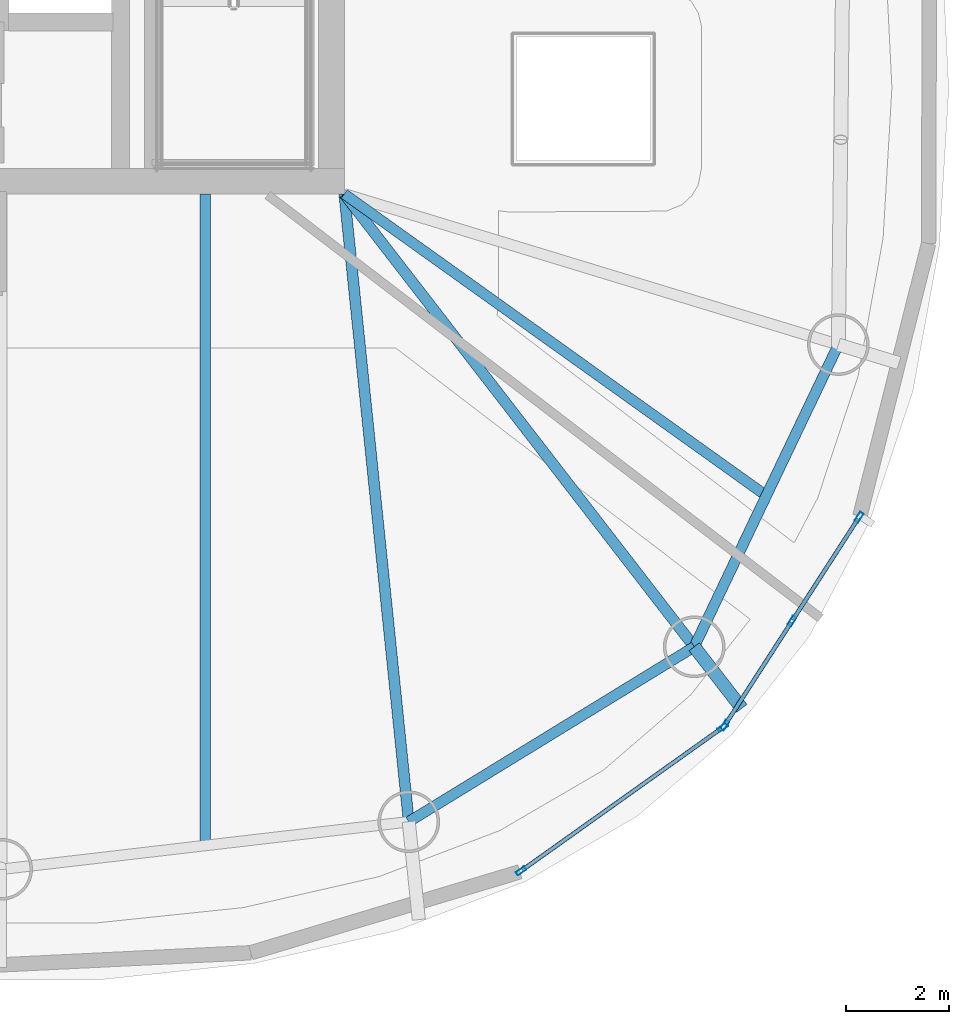
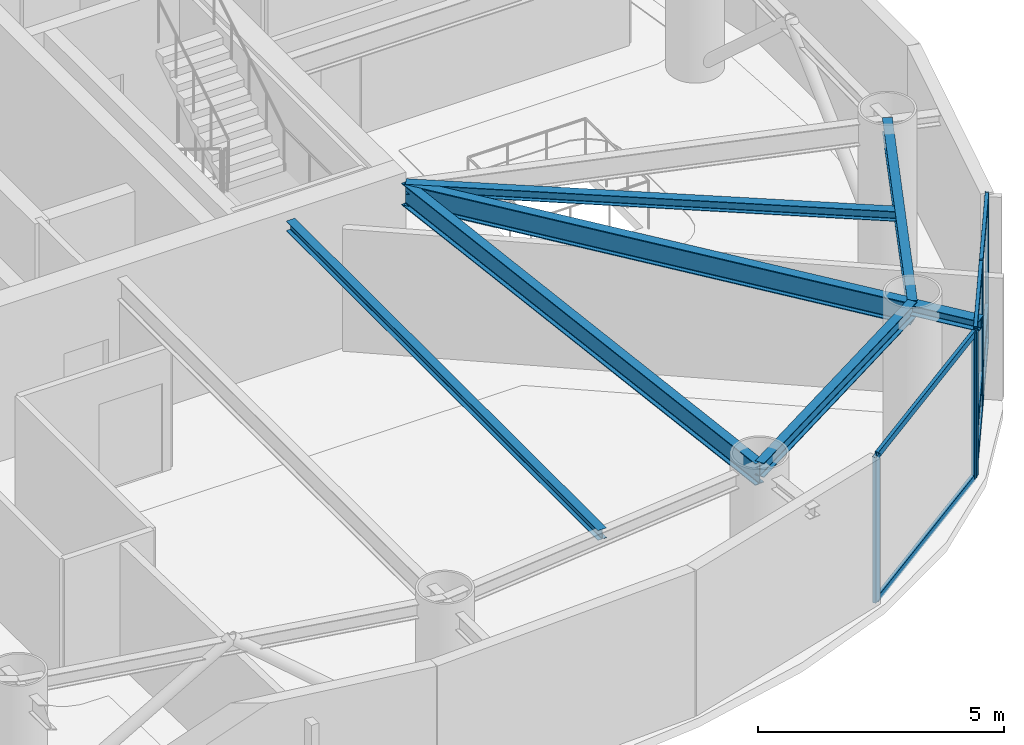
# One storey, part 5 of 18: 13 members, 7 beams, 2 elements without a shape of their own.
"""IFC4 building model written with IfcOpenShell, lengths in metres."""

from ifc_helpers import new_model, si_unit, direction, frame, origin, origin_2d, place, context, subcontext, project, spatial, hollow_rectangle, i_section, extrude, material, layer, layer_set, material_profile, profile_set, type_object, element, aggregate, save


model = new_model("IFC4")

# Units and contexts
model_context = context("Model", 3, precision=1e-05, world=origin(), true_north=direction((0.0, 1.0)))
body_context = subcontext(model_context, "Body", "Model", "MODEL_VIEW")
ifc_project = project(units=[si_unit("LENGTHUNIT", "METRE"), si_unit("AREAUNIT", "SQUARE_METRE"), si_unit("VOLUMEUNIT", "CUBIC_METRE"), si_unit("PLANEANGLEUNIT", "RADIAN"), si_unit("MASSUNIT", "GRAM", prefix="KILO")], contexts=[model_context])

# Site, building, storey
site_placement = place(None, origin())
site = spatial("IfcSite", under=ifc_project, at=site_placement, CompositionType="ELEMENT")
building_placement = place(site_placement, origin())
building = spatial("IfcBuilding", under=site, at=building_placement, Name="Bramvorn Convention Spire", CompositionType="ELEMENT")
storey_placement = place(building_placement, frame((0.0, 0.0, 205.85009765625)))
storey = spatial("IfcBuildingStorey", under=building, at=storey_placement, Name="L52", CompositionType="ELEMENT", Elevation=205.85009765625)

# Beams
ifc_material_1 = material(Name="Steel CSA G40.21 Grade 350 (350W)", Category="steel")
ifc_material_profile_1 = material_profile(ifc_material_1, i_section(OverallWidth=0.201904296875, OverallDepth=0.2470703125, WebThickness=0.00732421875, FlangeThickness=0.010986328125, FilletRadius=0.011962890625, at=origin_2d()))
ifc_profile_set_1 = profile_set([ifc_material_profile_1], Name="Steel CSA G40.21 Grade 350 (350W) - W250X49")
beam_type_1 = type_object("IfcBeamType", Name="BM-W250X49", PredefinedType="JOIST", material=ifc_profile_set_1)
beam_1_placement = place(storey_placement, frame((49.25, 18.550048828125, 3.496337890625), z_axis=(0.813471895271, -0.581604225916, 0.0), x_axis=(0.581604225916, 0.813471895271, 0.0)))
element("IfcBeam", 1, at=beam_1_placement, inside=storey, type_object=beam_type_1, Name="L52 composite floor joist 01", PredefinedType="JOIST", context=body_context, shape_type="SweptSolid", body=[
    extrude(i_section(OverallWidth=0.201904296875, OverallDepth=0.2470703125, WebThickness=0.00732421875, FlangeThickness=0.010986328125, FilletRadius=0.011962890625, at=origin_2d()), origin(), (0.0, 0.0, 1.0), 10.093505859375),
])
beam_2_placement = place(storey_placement, frame((46.544189453125, 18.550048828125, 3.496337890625), z_axis=(0.0, -1.0, 0.0), x_axis=(1.0, 0.0, 0.0)))
element("IfcBeam", 2, at=beam_2_placement, inside=storey, type_object=beam_type_1, Name="L52 composite floor joist 15", PredefinedType="JOIST", context=body_context, shape_type="SweptSolid", body=[
    extrude(i_section(OverallWidth=0.201904296875, OverallDepth=0.2470703125, WebThickness=0.00732421875, FlangeThickness=0.010986328125, FilletRadius=0.011962890625, at=origin_2d()), origin(), (0.0, 0.0, 1.0), 12.67626953125),
])
ifc_material_profile_2 = material_profile(ifc_material_1, i_section(OverallWidth=0.25390625, OverallDepth=0.2529296875, WebThickness=0.008544921875, FlangeThickness=0.01416015625, FilletRadius=0.011962890625, at=origin_2d()))
ifc_profile_set_2 = profile_set([ifc_material_profile_2], Name="Steel CSA G40.21 Grade 350 (350W) - W250X73")
beam_type_2 = type_object("IfcBeamType", Name="BM-W250X73", PredefinedType="BEAM", material=ifc_profile_set_2)
beam_3_placement = place(storey_placement, frame((56.058349609375, 9.739990234375, 3.45849609375), z_axis=(0.611603601919, -0.791164353418, 0.0), x_axis=(0.791164353418, 0.611603601919, 0.0)))
element("IfcBeam", 3, at=beam_3_placement, inside=storey, type_object=beam_type_2, Name="L52 slab-edge cantilever tip beam MC01", PredefinedType="BEAM", context=body_context, shape_type="SweptSolid", body=[
    extrude(i_section(OverallWidth=0.25390625, OverallDepth=0.2529296875, WebThickness=0.008544921875, FlangeThickness=0.01416015625, FilletRadius=0.011962890625, at=origin_2d()), origin(), (0.0, 0.0, 1.0), 1.51318359375),
])
ifc_material_profile_3 = material_profile(ifc_material_1, i_section(OverallWidth=0.205078125, OverallDepth=0.35400390625, WebThickness=0.009521484375, FlangeThickness=0.016845703125, FilletRadius=0.014892578125, at=origin_2d()))
ifc_profile_set_3 = profile_set([ifc_material_profile_3], Name="Steel CSA G40.21 Grade 350 (350W) - W360X79")
beam_type_3 = type_object("IfcBeamType", Name="BM-W360X79", PredefinedType="JOIST", material=ifc_profile_set_3)
beam_4_placement = place(storey_placement, frame((56.058349609375, 9.739990234375, 3.44287109375), z_axis=(0.430556138422, 0.902563799223, 0.0), x_axis=(-0.902563799223, 0.430556138422, 0.0)))
element("IfcBeam", 4, at=beam_4_placement, inside=storey, type_object=beam_type_3, Name="L52 mega-column ring beam 01", PredefinedType="JOIST", context=body_context, shape_type="SweptSolid", body=[
    extrude(i_section(OverallWidth=0.205078125, OverallDepth=0.35400390625, WebThickness=0.009521484375, FlangeThickness=0.016845703125, FilletRadius=0.014892578125, at=origin_2d()), origin(), (0.0, 0.0, 1.0), 6.51416015625),
])
beam_5_placement = place(storey_placement, frame((50.50439453125, 6.336181640625, 3.44287109375), z_axis=(0.852616873135, 0.522536570629, 0.0), x_axis=(-0.522536570629, 0.852616873135, 0.0)))
element("IfcBeam", 5, at=beam_5_placement, inside=storey, type_object=beam_type_3, Name="L52 mega-column ring beam 16", PredefinedType="JOIST", context=body_context, shape_type="SweptSolid", body=[
    extrude(i_section(OverallWidth=0.205078125, OverallDepth=0.35400390625, WebThickness=0.009521484375, FlangeThickness=0.016845703125, FilletRadius=0.014892578125, at=origin_2d()), origin(), (0.0, 0.0, 1.0), 6.513916015625),
])
ifc_material_profile_4 = material_profile(ifc_material_1, i_section(OverallWidth=0.2119140625, OverallDepth=0.5439453125, WebThickness=0.01318359375, FlangeThickness=0.021240234375, FilletRadius=0.01904296875, at=origin_2d()))
ifc_profile_set_4 = profile_set([ifc_material_profile_4], Name="Steel CSA G40.21 Grade 350 (350W) - W530X123")
beam_type_4 = type_object("IfcBeamType", Name="BM-W530X123", PredefinedType="BEAM", material=ifc_profile_set_4)
beam_6_placement = place(storey_placement, frame((49.25, 18.550048828125, 3.347900390625), z_axis=(0.611479951477, -0.791259925019, 0.0), x_axis=(0.791259925019, 0.611479951477, 0.0)))
element("IfcBeam", 6, at=beam_6_placement, inside=storey, type_object=beam_type_4, Name="L52 radial floor girder MC01", PredefinedType="BEAM", context=body_context, shape_type="SweptSolid", body=[
    extrude(i_section(OverallWidth=0.2119140625, OverallDepth=0.5439453125, WebThickness=0.01318359375, FlangeThickness=0.021240234375, FilletRadius=0.01904296875, at=origin_2d()), origin(), (0.0, 0.0, 1.0), 11.13427734375),
])
beam_7_placement = place(storey_placement, frame((49.25, 18.550048828125, 3.347900390625), z_axis=(0.10216509146, -0.994767457292, 0.0), x_axis=(0.994767457292, 0.10216509146, 0.0)))
element("IfcBeam", 7, at=beam_7_placement, inside=storey, type_object=beam_type_4, Name="L52 radial floor girder MC16", PredefinedType="BEAM", context=body_context, shape_type="SweptSolid", body=[
    extrude(i_section(OverallWidth=0.2119140625, OverallDepth=0.5439453125, WebThickness=0.01318359375, FlangeThickness=0.021240234375, FilletRadius=0.01904296875, at=origin_2d()), origin(), (0.0, 0.0, 1.0), 12.278076171875),
])

# Curtain wall, members
ifc_material_2 = material(Name="Anodised Bronze Unitised Curtain Wall", Category="aluminium")
ifc_layer = layer(ifc_material_2, 0.179931640625)
ifc_layer_set = layer_set([ifc_layer], Name="Anodised Bronze Unitised Curtain Wall - CW-OFF-FRIT")
curtain_wall_type = type_object("IfcCurtainWallType", Name="CW-OFF-FRIT", PredefinedType="USERDEFINED", material=ifc_layer_set)
curtain_wall_1_placement = place(storey_placement, origin())
curtain_wall_1 = element("IfcCurtainWall", 8, at=curtain_wall_1_placement, inside=storey, type_object=curtain_wall_type, Name="L52 fritted glass curtain wall 01", ObjectType="UNITISED CURTAIN WALL", PredefinedType="USERDEFINED")
ifc_material_3 = material(Name="Anodised Bronze Aluminium 6063-T6", Category="aluminium")
ifc_material_profile_5 = material_profile(ifc_material_3, hollow_rectangle(XDim=0.080078125, YDim=0.199951171875, WallThickness=0.00390625, InnerFilletRadius=0.0009765625, OuterFilletRadius=0.00390625, at=origin_2d()))
ifc_profile_set_5 = profile_set([ifc_material_profile_5], Name="Anodised Bronze Aluminium 6063-T6 - CWM80X200")
member_type_1 = type_object("IfcMemberType", Name="CW-MUL-180", PredefinedType="MULLION", material=ifc_profile_set_5)
member_1_placement = place(storey_placement, frame((59.265625, 12.26123046875, 0.0), z_axis=(0.0, 0.0, 1.0), x_axis=(0.840251742921, -0.542196466715, 0.0)))
member_1 = element("IfcMember", 9, at=member_1_placement, type_object=member_type_1, Name="CW3 mullion 1", PredefinedType="MULLION", context=body_context, shape_type="SweptSolid", body=[
    extrude(hollow_rectangle(XDim=0.080078125, YDim=0.199951171875, WallThickness=0.00390625, InnerFilletRadius=0.0009765625, OuterFilletRadius=0.00390625, at=origin_2d()), origin(), (0.0, 0.0, 1.0), 3.619873046875),
])
member_2_placement = place(storey_placement, frame((57.9599609375, 10.23779296875, 0.0), z_axis=(0.0, 0.0, 1.0), x_axis=(0.840251742921, -0.542196466715, 0.0)))
member_2 = element("IfcMember", 10, at=member_2_placement, type_object=member_type_1, Name="CW3 mullion 2", PredefinedType="MULLION", context=body_context, shape_type="SweptSolid", body=[
    extrude(hollow_rectangle(XDim=0.080078125, YDim=0.199951171875, WallThickness=0.00390625, InnerFilletRadius=0.0009765625, OuterFilletRadius=0.00390625, at=origin_2d()), origin(), (0.0, 0.0, 1.0), 3.619873046875),
])
member_3_placement = place(storey_placement, frame((56.654296875, 8.21435546875, 0.0), z_axis=(0.0, 0.0, 1.0), x_axis=(0.840251742921, -0.542196466715, 0.0)))
member_3 = element("IfcMember", 11, at=member_3_placement, type_object=member_type_1, Name="CW3 mullion 3", PredefinedType="MULLION", context=body_context, shape_type="SweptSolid", body=[
    extrude(hollow_rectangle(XDim=0.080078125, YDim=0.199951171875, WallThickness=0.00390625, InnerFilletRadius=0.0009765625, OuterFilletRadius=0.00390625, at=origin_2d()), origin(), (0.0, 0.0, 1.0), 3.619873046875),
])

curtain_wall_2_placement = place(storey_placement, origin())
curtain_wall_2 = element("IfcCurtainWall", 12, at=curtain_wall_2_placement, inside=storey, type_object=curtain_wall_type, Name="L52 fritted glass curtain wall 24", ObjectType="UNITISED CURTAIN WALL", PredefinedType="USERDEFINED")
member_4_placement = place(storey_placement, frame((56.61376953125, 8.171630859375, 0.0), z_axis=(0.0, 0.0, 1.0), x_axis=(0.579757116139, -0.814789350867, 0.0)))
member_4 = element("IfcMember", 13, at=member_4_placement, type_object=member_type_1, Name="CW3 mullion 1", PredefinedType="MULLION", context=body_context, shape_type="SweptSolid", body=[
    extrude(hollow_rectangle(XDim=0.080078125, YDim=0.199951171875, WallThickness=0.00390625, InnerFilletRadius=0.0009765625, OuterFilletRadius=0.00390625, at=origin_2d()), origin(), (0.0, 0.0, 1.0), 3.619873046875),
])
member_5_placement = place(storey_placement, frame((52.689453125, 5.37939453125, 0.0), z_axis=(0.0, 0.0, 1.0), x_axis=(0.579757116139, -0.814789350867, 0.0)))
member_5 = element("IfcMember", 14, at=member_5_placement, type_object=member_type_1, Name="CW3 mullion 2", PredefinedType="MULLION", context=body_context, shape_type="SweptSolid", body=[
    extrude(hollow_rectangle(XDim=0.080078125, YDim=0.199951171875, WallThickness=0.00390625, InnerFilletRadius=0.0009765625, OuterFilletRadius=0.00390625, at=origin_2d()), origin(), (0.0, 0.0, 1.0), 3.619873046875),
])

# Member
ifc_material_profile_6 = material_profile(ifc_material_3, hollow_rectangle(XDim=0.080078125, YDim=0.159912109375, WallThickness=0.00390625, InnerFilletRadius=0.0009765625, OuterFilletRadius=0.00390625, at=origin_2d()))
ifc_profile_set_6 = profile_set([ifc_material_profile_6], Name="Anodised Bronze Aluminium 6063-T6 - CWT80X160")
member_type_2 = type_object("IfcMemberType", Name="CW-TRN-150", PredefinedType="USERDEFINED", material=ifc_profile_set_6)
member_6_placement = place(storey_placement, frame((59.24951171875, 12.236083984375, 0.02978515625), z_axis=(-0.542186070646, -0.840258451191, 0.0), x_axis=(0.840258451191, -0.542186070646, 0.0)))
member_6 = element("IfcMember", 15, at=member_6_placement, type_object=member_type_2, Name="CW3 transom 1.1", ObjectType="TRANSOM", PredefinedType="USERDEFINED", context=body_context, shape_type="SweptSolid", body=[
    extrude(hollow_rectangle(XDim=0.080078125, YDim=0.159912109375, WallThickness=0.00390625, InnerFilletRadius=0.0009765625, OuterFilletRadius=0.00390625, at=origin_2d()), origin(), (0.0, 0.0, 1.0), 2.34814453125),
])

member_7_placement = place(storey_placement, frame((59.24951171875, 12.236083984375, 0.89990234375), z_axis=(-0.542186070646, -0.840258451191, 0.0), x_axis=(0.840258451191, -0.542186070646, 0.0)))
member_7 = element("IfcMember", 16, at=member_7_placement, type_object=member_type_2, Name="CW3 transom 1.2", ObjectType="TRANSOM", PredefinedType="USERDEFINED", context=body_context, shape_type="SweptSolid", body=[
    extrude(hollow_rectangle(XDim=0.080078125, YDim=0.159912109375, WallThickness=0.00390625, InnerFilletRadius=0.0009765625, OuterFilletRadius=0.00390625, at=origin_2d()), origin(), (0.0, 0.0, 1.0), 2.34814453125),
])

member_8_placement = place(storey_placement, frame((59.24951171875, 12.236083984375, 3.58984375), z_axis=(-0.542186070646, -0.840258451191, 0.0), x_axis=(0.840258451191, -0.542186070646, 0.0)))
member_8 = element("IfcMember", 17, at=member_8_placement, type_object=member_type_2, Name="CW3 transom 1.3", ObjectType="TRANSOM", PredefinedType="USERDEFINED", context=body_context, shape_type="SweptSolid", body=[
    extrude(hollow_rectangle(XDim=0.080078125, YDim=0.159912109375, WallThickness=0.00390625, InnerFilletRadius=0.0009765625, OuterFilletRadius=0.00390625, at=origin_2d()), origin(), (0.0, 0.0, 1.0), 2.34814453125),
])

member_9_placement = place(storey_placement, frame((57.94384765625, 10.212646484375, 0.02978515625), z_axis=(-0.542186070646, -0.840258451191, 0.0), x_axis=(0.840258451191, -0.542186070646, 0.0)))
member_9 = element("IfcMember", 18, at=member_9_placement, type_object=member_type_2, Name="CW3 transom 2.1", ObjectType="TRANSOM", PredefinedType="USERDEFINED", context=body_context, shape_type="SweptSolid", body=[
    extrude(hollow_rectangle(XDim=0.080078125, YDim=0.159912109375, WallThickness=0.00390625, InnerFilletRadius=0.0009765625, OuterFilletRadius=0.00390625, at=origin_2d()), origin(), (0.0, 0.0, 1.0), 2.34814453125),
])

member_10_placement = place(storey_placement, frame((57.94384765625, 10.212646484375, 0.89990234375), z_axis=(-0.542186070646, -0.840258451191, 0.0), x_axis=(0.840258451191, -0.542186070646, 0.0)))
member_10 = element("IfcMember", 19, at=member_10_placement, type_object=member_type_2, Name="CW3 transom 2.2", ObjectType="TRANSOM", PredefinedType="USERDEFINED", context=body_context, shape_type="SweptSolid", body=[
    extrude(hollow_rectangle(XDim=0.080078125, YDim=0.159912109375, WallThickness=0.00390625, InnerFilletRadius=0.0009765625, OuterFilletRadius=0.00390625, at=origin_2d()), origin(), (0.0, 0.0, 1.0), 2.34814453125),
])

member_11_placement = place(storey_placement, frame((57.94384765625, 10.212646484375, 3.58984375), z_axis=(-0.542186070646, -0.840258451191, 0.0), x_axis=(0.840258451191, -0.542186070646, 0.0)))
member_11 = element("IfcMember", 20, at=member_11_placement, type_object=member_type_2, Name="CW3 transom 2.3", ObjectType="TRANSOM", PredefinedType="USERDEFINED", context=body_context, shape_type="SweptSolid", body=[
    extrude(hollow_rectangle(XDim=0.080078125, YDim=0.159912109375, WallThickness=0.00390625, InnerFilletRadius=0.0009765625, OuterFilletRadius=0.00390625, at=origin_2d()), origin(), (0.0, 0.0, 1.0), 2.34814453125),
])

aggregate(curtain_wall_1, [member_1, member_2, member_3, member_6, member_7, member_8, member_9, member_10, member_11])

member_12_placement = place(storey_placement, frame((56.589111328125, 8.154296875, 0.02978515625), z_axis=(-0.814772655127, -0.579780579579, 0.0), x_axis=(0.579780579579, -0.814772655127, 0.0)))
member_12 = element("IfcMember", 21, at=member_12_placement, type_object=member_type_2, Name="CW3 transom 1.1", ObjectType="TRANSOM", PredefinedType="USERDEFINED", context=body_context, shape_type="SweptSolid", body=[
    extrude(hollow_rectangle(XDim=0.080078125, YDim=0.159912109375, WallThickness=0.00390625, InnerFilletRadius=0.0009765625, OuterFilletRadius=0.00390625, at=origin_2d()), origin(), (0.0, 0.0, 1.0), 4.75634765625),
])

member_13_placement = place(storey_placement, frame((56.589111328125, 8.154296875, 3.58984375), z_axis=(-0.814772655127, -0.579780579579, 0.0), x_axis=(0.579780579579, -0.814772655127, 0.0)))
member_13 = element("IfcMember", 22, at=member_13_placement, type_object=member_type_2, Name="CW3 transom 1.2", ObjectType="TRANSOM", PredefinedType="USERDEFINED", context=body_context, shape_type="SweptSolid", body=[
    extrude(hollow_rectangle(XDim=0.080078125, YDim=0.159912109375, WallThickness=0.00390625, InnerFilletRadius=0.0009765625, OuterFilletRadius=0.00390625, at=origin_2d()), origin(), (0.0, 0.0, 1.0), 4.75634765625),
])

aggregate(curtain_wall_2, [member_4, member_5, member_12, member_13])

save(model, "model.ifc")
